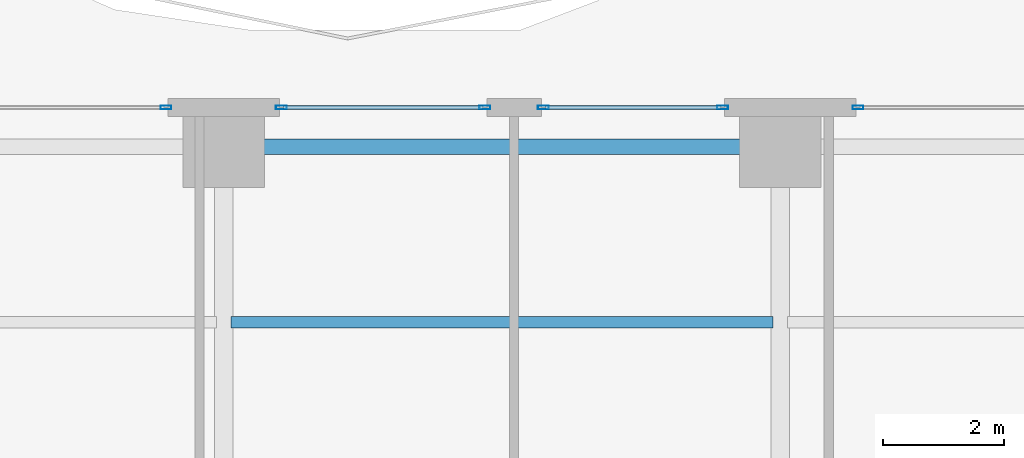
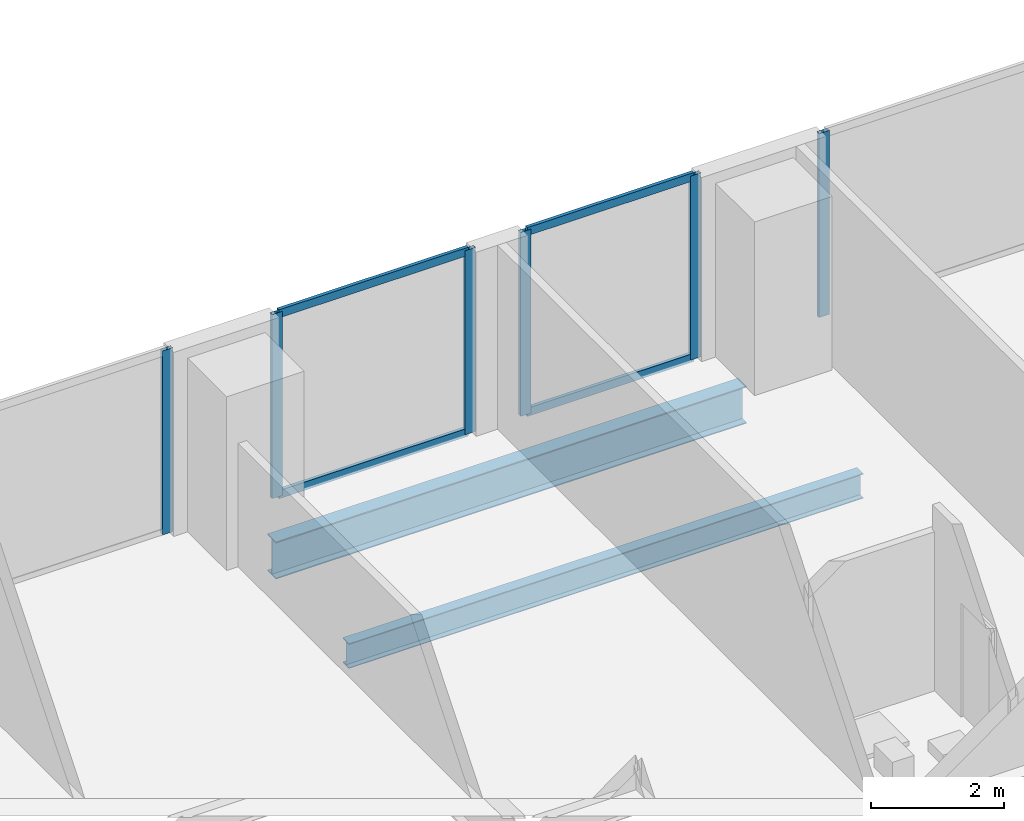
# One storey, part 17 of 29: 10 members, 2 beams, 4 elements without a shape of their own.
"""IFC4 building model written with IfcOpenShell, lengths in metres."""

import ifcopenshell
import ifcopenshell.guid

model = None  # the IFC model being written
_history = None  # IfcOwnerHistory: only IFC2X3 demands one
_inside = {}  # id of a spatial element -> (the spatial element, [elements in it])
_under = {}  # id of a project, library or spatial element -> (it, [spatial elements below it])
_declared = {}  # id of a project -> (the project, [libraries it declares])
_typed = {}  # id of a type object -> (the type object, [elements of that type])
_made_of = {}  # id of a material, layer set ... -> (it, [elements and type objects made of it])


def new_model(schema):
    """Start an empty IFC model of exactly this schema.

    Asked for "IFC4X3", IfcOpenShell would pick the latest addendum, in which some entities
    have other attributes; the version numbers below select the first issue.
    IFC2X3 requires an IfcOwnerHistory on every rooted entity: one is made here for all.
    """
    global model, _history
    if schema == "IFC4X3":
        model = ifcopenshell.file(schema_version=(4, 3, 0, 0))
    else:
        model = ifcopenshell.file(schema=schema)
    _inside.clear()
    _under.clear()
    _declared.clear()
    _typed.clear()
    _made_of.clear()
    _history = None
    if model.schema == "IFC2X3":
        org = make("IfcOrganization", Name="unknown")
        user = make(
            "IfcPersonAndOrganization",
            ThePerson=make("IfcPerson", FamilyName="unknown"),
            TheOrganization=org,
        )
        app = make(
            "IfcApplication",
            ApplicationDeveloper=org,
            Version="unknown",
            ApplicationFullName="unknown",
            ApplicationIdentifier="unknown",
        )
        _history = make(
            "IfcOwnerHistory",
            OwningUser=user,
            OwningApplication=app,
            ChangeAction="ADDED",
            CreationDate=0,
        )
    return model


def make(cls, **values):
    """One entity of the class cls with the attributes given. An attribute that is None is left unset."""
    return model.create_entity(
        cls, **{name: value for name, value in values.items() if value is not None}
    )


def rooted(cls, **values):
    """An entity with a GlobalId (a new one), such as an element, a storey or a relation."""
    return make(cls, GlobalId=ifcopenshell.guid.new(), OwnerHistory=_history, **values)


def si_unit(unit_type, name, prefix=None):
    """IfcSIUnit, for example si_unit("LENGTHUNIT", "METRE", prefix="MILLI")."""
    return make("IfcSIUnit", UnitType=unit_type, Prefix=prefix, Name=name)


def assignment(units):
    """IfcUnitAssignment: the units of a project."""
    return None if units is None else make("IfcUnitAssignment", Units=units)


def point(xyz):
    """IfcCartesianPoint."""
    return None if xyz is None else make("IfcCartesianPoint", Coordinates=xyz)


def direction(xyz):
    """IfcDirection."""
    return None if xyz is None else make("IfcDirection", DirectionRatios=xyz)


def frame(location, z_axis=None, x_axis=None):
    """IfcAxis2Placement3D, a coordinate frame: its origin and axes. An axis left out is left unset."""
    return make(
        "IfcAxis2Placement3D",
        Location=point(location),
        Axis=direction(z_axis),
        RefDirection=direction(x_axis),
    )


def frame_2d(location, x_axis=None):
    """IfcAxis2Placement2D, a coordinate frame in the plane: its origin and x axis."""
    return make(
        "IfcAxis2Placement2D", Location=point(location), RefDirection=direction(x_axis)
    )


def origin():
    """The frame at (0, 0, 0) with its axes left unset."""
    return frame((0.0, 0.0, 0.0))


def origin_2d():
    """The frame at (0, 0) in the plane with its x axis left unset."""
    return frame_2d((0.0, 0.0))


def place(relative_to, where):
    """IfcLocalPlacement: puts the frame where relative to a parent placement (None: the world)."""
    return make(
        "IfcLocalPlacement", PlacementRelTo=relative_to, RelativePlacement=where
    )


def context(
    kind, dimensions, precision=None, world=None, true_north=None, identifier=None
):
    """IfcGeometricRepresentationContext, for example the 3D "Model" context."""
    return make(
        "IfcGeometricRepresentationContext",
        ContextIdentifier=identifier,
        ContextType=kind,
        CoordinateSpaceDimension=dimensions,
        Precision=precision,
        WorldCoordinateSystem=world,
        TrueNorth=true_north,
    )


def subcontext(parent, identifier, kind, view, scale=None):
    """IfcGeometricRepresentationSubContext, for example "Body" below "Model"."""
    return make(
        "IfcGeometricRepresentationSubContext",
        ContextIdentifier=identifier,
        ContextType=kind,
        ParentContext=parent,
        TargetScale=scale,
        TargetView=view,
    )


def project(units=None, contexts=None):
    """IfcProject with its units and contexts."""
    return rooted(
        "IfcProject",
        Name="project",
        RepresentationContexts=contexts,
        UnitsInContext=assignment(units),
    )


def spatial(cls, under=None, at=None, **own):
    """A site, building, storey or space (cls), placed at a placement, below another one or the project."""
    s = rooted(cls, ObjectPlacement=at, **own)
    if under is not None:
        _under.setdefault(under.id(), (under, []))[1].append(s)
    return s


def profile(cls, at=None, kind="AREA", **sizes):
    """A parametric profile (cls). Its sizes go by their IFC names, for example OverallWidth=200.0."""
    return make(cls, ProfileType=kind, Position=at, **sizes)


def hollow_rectangle(**sizes):
    """IfcRectangleHollowProfileDef."""
    return profile("IfcRectangleHollowProfileDef", **sizes)


def i_section(**sizes):
    """IfcIShapeProfileDef."""
    return profile("IfcIShapeProfileDef", **sizes)


def extrude(swept, where, along, depth):
    """IfcExtrudedAreaSolid: the profile swept, set in the frame where, extruded along a direction by depth."""
    return make(
        "IfcExtrudedAreaSolid",
        SweptArea=swept,
        Position=where,
        ExtrudedDirection=direction(along),
        Depth=depth,
    )


def shape(context_of_items, identifier, shape_type, items):
    """IfcShapeRepresentation: the items that make up one representation, for example the "Body"."""
    return make(
        "IfcShapeRepresentation",
        ContextOfItems=context_of_items,
        RepresentationIdentifier=identifier,
        RepresentationType=shape_type,
        Items=items,
    )


def material(Name=None, Category=None):
    """IfcMaterial."""
    return make("IfcMaterial", Name=Name, Category=Category)


def layer(
    of_material, thickness, ventilated=None, Name=None, Category=None, Priority=None
):
    """IfcMaterialLayer: one layer of a wall or slab, of a material (None: an air gap)."""
    return make(
        "IfcMaterialLayer",
        Material=of_material,
        LayerThickness=thickness,
        IsVentilated=ventilated,
        Name=Name,
        Category=Category,
        Priority=Priority,
    )


def layer_set(layers, Name=None):
    """IfcMaterialLayerSet."""
    return make("IfcMaterialLayerSet", MaterialLayers=layers, LayerSetName=Name)


def material_profile(
    of_material, cross_section, Name=None, Category=None, Priority=None
):
    """IfcMaterialProfile: a cross section and its material."""
    return make(
        "IfcMaterialProfile",
        Name=Name,
        Material=of_material,
        Profile=cross_section,
        Priority=Priority,
        Category=Category,
    )


def profile_set(profiles, Name=None, composite=None):
    """IfcMaterialProfileSet."""
    return make(
        "IfcMaterialProfileSet",
        Name=Name,
        MaterialProfiles=profiles,
        CompositeProfile=composite,
    )


def made_of(thing, what):
    """Note that an element or type object is made of a material, layer set ...; save() writes the relation."""
    if what is not None:
        _made_of.setdefault(what.id(), (what, []))[1].append(thing)
    return thing


def type_object(cls, material=None, **own):
    """A type object (cls), such as IfcWallType, which elements share."""
    return made_of(rooted(cls, **own), material)


def element(
    cls,
    number,
    at=None,
    inside=None,
    cuts=None,
    type_object=None,
    material=None,
    context=None,
    identifier="Body",
    shape_type=None,
    held_by="IfcProductDefinitionShape",
    body=None,
    shapes=None,
    **own,
):
    """One element of the class cls, such as IfcWall. Its Tag is "e" and its number.

    at: its placement. inside: the storey or other place that contains it. cuts: it is an
    opening in that element (IfcRelVoidsElement). A single representation is given by context,
    identifier, shape_type and body (its items); several are given by shapes. held_by: the class
    of the entity that holds the representations. save() writes the other relations.
    """
    e = rooted(cls, Tag="e%d" % number, ObjectPlacement=at, **own)
    if body is not None:
        shapes = [shape(context, identifier, shape_type, body)]
    if shapes is not None:
        e.Representation = make(held_by, Representations=shapes)
    if inside is not None:
        _inside.setdefault(inside.id(), (inside, []))[1].append(e)
    if cuts is not None:
        rooted(
            "IfcRelVoidsElement", RelatingBuildingElement=cuts, RelatedOpeningElement=e
        )
    if type_object is not None:
        _typed.setdefault(type_object.id(), (type_object, []))[1].append(e)
    return made_of(e, material)


def aggregate(whole, parts):
    """IfcRelAggregates: a whole, such as a stair, and the parts it consists of."""
    return rooted("IfcRelAggregates", RelatingObject=whole, RelatedObjects=parts)


def save(model, path):
    """Write the relations noted so far, then the file.

    IfcRelAggregates (storeys below a building ...), IfcRelContainedInSpatialStructure (elements
    in a storey), IfcRelDefinesByType, IfcRelAssociatesMaterial and IfcRelDeclares: one each for
    every whole, place, type object, material and project.
    """
    for whole, parts in _under.values():
        aggregate(whole, parts)
    for where, things in _inside.values():
        rooted(
            "IfcRelContainedInSpatialStructure",
            RelatedElements=things,
            RelatingStructure=where,
        )
    for kind, things in _typed.values():
        rooted("IfcRelDefinesByType", RelatedObjects=things, RelatingType=kind)
    for what, things in _made_of.values():
        rooted("IfcRelAssociatesMaterial", RelatedObjects=things, RelatingMaterial=what)
    for by, libraries in _declared.values():
        rooted("IfcRelDeclares", RelatingContext=by, RelatedDefinitions=libraries)
    model.write(path)


model = new_model("IFC4")

# Units and contexts
model_context = context("Model", 3, precision=1e-05, world=origin(), true_north=direction((0.0, 1.0)))
body_context = subcontext(model_context, "Body", "Model", "MODEL_VIEW")
ifc_project = project(units=[si_unit("LENGTHUNIT", "METRE"), si_unit("AREAUNIT", "SQUARE_METRE"), si_unit("VOLUMEUNIT", "CUBIC_METRE"), si_unit("PLANEANGLEUNIT", "RADIAN"), si_unit("MASSUNIT", "GRAM", prefix="KILO")], contexts=[model_context])

# Site, building, storey
site_placement = place(None, origin())
site = spatial("IfcSite", under=ifc_project, at=site_placement, CompositionType="ELEMENT")
building_placement = place(site_placement, origin())
building = spatial("IfcBuilding", under=site, at=building_placement, Name="Zuhayl Quay Hotel", CompositionType="ELEMENT")
storey_placement = place(building_placement, frame((0.0, 0.0, 158.550048828125)))
storey = spatial("IfcBuildingStorey", under=building, at=storey_placement, Name="L40", CompositionType="ELEMENT", Elevation=158.550048828125)

# Beams
ifc_material_1 = material(Name="Steel ASTM A992 Grade 50", Category="steel")
ifc_material_profile_1 = material_profile(ifc_material_1, i_section(OverallWidth=0.25390625, OverallDepth=0.68310546875, WebThickness=0.012451171875, FlangeThickness=0.018798828125, at=origin_2d()), Name="W27X94")
ifc_profile_set_1 = profile_set([ifc_material_profile_1], Name="Steel ASTM A992 Grade 50")
beam_type_1 = type_object("IfcBeamType", Name="BM_B2_W27X94", PredefinedType="BEAM", material=ifc_profile_set_1)
beam_1_placement = place(storey_placement, frame((4.10009765625, 27.75, -0.5615234375), z_axis=(-1.0, 0.0, 0.0), x_axis=(0.0, -1.0, 0.0)))
element("IfcBeam", 1, at=beam_1_placement, inside=storey, type_object=beam_type_1, Name="L40 Floor Beam RG_L40_08", PredefinedType="BEAM", context=body_context, shape_type="SweptSolid", body=[
    extrude(i_section(OverallWidth=0.25390625, OverallDepth=0.68310546875, WebThickness=0.012451171875, FlangeThickness=0.018798828125, at=origin_2d()), origin(), (0.0, 0.0, 1.0), 8.2001953125),
])
ifc_material_profile_2 = material_profile(ifc_material_1, i_section(OverallWidth=0.18994140625, OverallDepth=0.45703125, WebThickness=0.009033203125, FlangeThickness=0.014404296875, at=origin_2d()), Name="W18X50")
ifc_profile_set_2 = profile_set([ifc_material_profile_2], Name="Steel ASTM A992 Grade 50")
beam_type_2 = type_object("IfcBeamType", Name="BM_J2_W18X50", PredefinedType="JOIST", material=ifc_profile_set_2)
beam_2_placement = place(storey_placement, frame((-4.48095703125, 24.85009765625, -0.448486328125), z_axis=(1.0, 0.0, 0.0), x_axis=(0.0, 1.0, 0.0)))
element("IfcBeam", 2, at=beam_2_placement, inside=storey, type_object=beam_type_2, Name="L40 Floor Beam FJ_L40_4_2", PredefinedType="JOIST", context=body_context, shape_type="SweptSolid", body=[
    extrude(i_section(OverallWidth=0.18994140625, OverallDepth=0.45703125, WebThickness=0.009033203125, FlangeThickness=0.014404296875, at=origin_2d()), origin(), (0.0, 0.0, 1.0), 8.9619140625),
])

# Curtain wall, member
ifc_material_2 = material(Name="Anodised Aluminium 6063-T6", Category="aluminium")
ifc_layer = layer(ifc_material_2, 0.179931640625, Name="Anodised Aluminium 6063-T6", Category="aluminium")
ifc_layer_set = layer_set([ifc_layer], Name="Anodised Aluminium 6063-T6")
curtain_wall_type = type_object("IfcCurtainWallType", Name="CW_SYS_Z2", PredefinedType="USERDEFINED", material=ifc_layer_set)
curtain_wall_1_placement = place(storey_placement, origin())
curtain_wall_1 = element("IfcCurtainWall", 3, at=curtain_wall_1_placement, inside=storey, type_object=curtain_wall_type, Name="L40 Curtain Wall ENV_L40_N_CW3", ObjectType="UNITISED CURTAIN WALL", PredefinedType="USERDEFINED")
ifc_material_3 = material(Name="Black-anodised aluminium 6063-T6", Category="aluminium")
ifc_material_profile_3 = material_profile(ifc_material_3, hollow_rectangle(XDim=0.06494140625, YDim=0.179931640625, WallThickness=0.00341796875, at=origin_2d()), Name="ALU180X65")
ifc_profile_set_3 = profile_set([ifc_material_profile_3], Name="Black-anodised aluminium 6063-T6")
member_type_1 = type_object("IfcMemberType", Name="MB_CW_MUL_180", PredefinedType="MULLION", material=ifc_profile_set_3)
member_1_placement = place(storey_placement, frame((-5.552490234375, 28.39990234375, 0.0), z_axis=(0.0, 0.0, 1.0), x_axis=(0.0, 1.0, 0.0)))
member_1 = element("IfcMember", 4, at=member_1_placement, type_object=member_type_1, Name="CW-Z2 mullion 2", PredefinedType="MULLION", context=body_context, shape_type="SweptSolid", body=[
    extrude(hollow_rectangle(XDim=0.06494140625, YDim=0.179931640625, WallThickness=0.00341796875, at=origin_2d()), origin(), (0.0, 0.0, 1.0), 3.389892578125),
])
aggregate(curtain_wall_1, [member_1])

# Curtain wall, members
curtain_wall_2_placement = place(storey_placement, origin())
curtain_wall_2 = element("IfcCurtainWall", 5, at=curtain_wall_2_placement, inside=storey, type_object=curtain_wall_type, Name="L40 Curtain Wall ENV_L40_N_CW4", ObjectType="UNITISED CURTAIN WALL", PredefinedType="USERDEFINED")
member_2_placement = place(storey_placement, frame((-3.6474609375, 28.39990234375, 0.0), z_axis=(0.0, 0.0, 1.0), x_axis=(0.0, 1.0, 0.0)))
member_2 = element("IfcMember", 6, at=member_2_placement, type_object=member_type_1, Name="CW-Z2 mullion 1", PredefinedType="MULLION", context=body_context, shape_type="SweptSolid", body=[
    extrude(hollow_rectangle(XDim=0.06494140625, YDim=0.179931640625, WallThickness=0.00341796875, at=origin_2d()), origin(), (0.0, 0.0, 1.0), 3.389892578125),
])
member_3_placement = place(storey_placement, frame((-0.282470703125, 28.39990234375, 0.0), z_axis=(0.0, 0.0, 1.0), x_axis=(0.0, 1.0, 0.0)))
member_3 = element("IfcMember", 7, at=member_3_placement, type_object=member_type_1, Name="CW-Z2 mullion 2", PredefinedType="MULLION", context=body_context, shape_type="SweptSolid", body=[
    extrude(hollow_rectangle(XDim=0.06494140625, YDim=0.179931640625, WallThickness=0.00341796875, at=origin_2d()), origin(), (0.0, 0.0, 1.0), 3.389892578125),
])

curtain_wall_3_placement = place(storey_placement, origin())
curtain_wall_3 = element("IfcCurtainWall", 8, at=curtain_wall_3_placement, inside=storey, type_object=curtain_wall_type, Name="L40 Curtain Wall ENV_L40_N_CW5", ObjectType="UNITISED CURTAIN WALL", PredefinedType="USERDEFINED")
member_4_placement = place(storey_placement, frame((0.6826171875, 28.39990234375, 0.0), z_axis=(0.0, 0.0, 1.0), x_axis=(0.0, 1.0, 0.0)))
member_4 = element("IfcMember", 9, at=member_4_placement, type_object=member_type_1, Name="CW-Z2 mullion 1", PredefinedType="MULLION", context=body_context, shape_type="SweptSolid", body=[
    extrude(hollow_rectangle(XDim=0.06494140625, YDim=0.179931640625, WallThickness=0.00341796875, at=origin_2d()), origin(), (0.0, 0.0, 1.0), 3.389892578125),
])
member_5_placement = place(storey_placement, frame((3.6474609375, 28.39990234375, 0.0), z_axis=(0.0, 0.0, 1.0), x_axis=(0.0, 1.0, 0.0)))
member_5 = element("IfcMember", 10, at=member_5_placement, type_object=member_type_1, Name="CW-Z2 mullion 2", PredefinedType="MULLION", context=body_context, shape_type="SweptSolid", body=[
    extrude(hollow_rectangle(XDim=0.06494140625, YDim=0.179931640625, WallThickness=0.00341796875, at=origin_2d()), origin(), (0.0, 0.0, 1.0), 3.389892578125),
])

# Curtain wall, member
curtain_wall_4_placement = place(storey_placement, origin())
curtain_wall_4 = element("IfcCurtainWall", 11, at=curtain_wall_4_placement, inside=storey, type_object=curtain_wall_type, Name="L40 Curtain Wall ENV_L40_N_CW6", ObjectType="UNITISED CURTAIN WALL", PredefinedType="USERDEFINED")
member_6_placement = place(storey_placement, frame((5.882568359375, 28.39990234375, 0.0), z_axis=(0.0, 0.0, 1.0), x_axis=(0.0, 1.0, 0.0)))
member_6 = element("IfcMember", 12, at=member_6_placement, type_object=member_type_1, Name="CW-Z2 mullion 1", PredefinedType="MULLION", context=body_context, shape_type="SweptSolid", body=[
    extrude(hollow_rectangle(XDim=0.06494140625, YDim=0.179931640625, WallThickness=0.00341796875, at=origin_2d()), origin(), (0.0, 0.0, 1.0), 3.389892578125),
])
aggregate(curtain_wall_4, [member_6])

# Member
ifc_material_profile_4 = material_profile(ifc_material_3, hollow_rectangle(XDim=0.06005859375, YDim=0.14990234375, WallThickness=0.00341796875, at=origin_2d()), Name="ALU150X60")
ifc_profile_set_4 = profile_set([ifc_material_profile_4], Name="Black-anodised aluminium 6063-T6")
member_type_2 = type_object("IfcMemberType", Name="MB_CW_TRN_150", PredefinedType="USERDEFINED", material=ifc_profile_set_4)
member_7_placement = place(storey_placement, frame((-3.614990234375, 28.39990234375, 0.030029296875), z_axis=(1.0, 0.0, 0.0), x_axis=(0.0, 1.0, 0.0)))
member_7 = element("IfcMember", 13, at=member_7_placement, type_object=member_type_2, Name="CW-Z2 transom 1.1", ObjectType="TRANSOM", PredefinedType="USERDEFINED", context=body_context, shape_type="SweptSolid", body=[
    extrude(hollow_rectangle(XDim=0.06005859375, YDim=0.14990234375, WallThickness=0.00341796875, at=origin_2d()), origin(), (0.0, 0.0, 1.0), 3.300048828125),
])

member_8_placement = place(storey_placement, frame((-3.614990234375, 28.39990234375, 3.35986328125), z_axis=(1.0, 0.0, 0.0), x_axis=(0.0, 1.0, 0.0)))
member_8 = element("IfcMember", 14, at=member_8_placement, type_object=member_type_2, Name="CW-Z2 transom 1.2", ObjectType="TRANSOM", PredefinedType="USERDEFINED", context=body_context, shape_type="SweptSolid", body=[
    extrude(hollow_rectangle(XDim=0.06005859375, YDim=0.14990234375, WallThickness=0.00341796875, at=origin_2d()), origin(), (0.0, 0.0, 1.0), 3.300048828125),
])

aggregate(curtain_wall_2, [member_2, member_3, member_7, member_8])

member_9_placement = place(storey_placement, frame((0.715087890625, 28.39990234375, 0.030029296875), z_axis=(1.0, 0.0, 0.0), x_axis=(0.0, 1.0, 0.0)))
member_9 = element("IfcMember", 15, at=member_9_placement, type_object=member_type_2, Name="CW-Z2 transom 1.1", ObjectType="TRANSOM", PredefinedType="USERDEFINED", context=body_context, shape_type="SweptSolid", body=[
    extrude(hollow_rectangle(XDim=0.06005859375, YDim=0.14990234375, WallThickness=0.00341796875, at=origin_2d()), origin(), (0.0, 0.0, 1.0), 2.89990234375),
])

member_10_placement = place(storey_placement, frame((0.715087890625, 28.39990234375, 3.35986328125), z_axis=(1.0, 0.0, 0.0), x_axis=(0.0, 1.0, 0.0)))
member_10 = element("IfcMember", 16, at=member_10_placement, type_object=member_type_2, Name="CW-Z2 transom 1.2", ObjectType="TRANSOM", PredefinedType="USERDEFINED", context=body_context, shape_type="SweptSolid", body=[
    extrude(hollow_rectangle(XDim=0.06005859375, YDim=0.14990234375, WallThickness=0.00341796875, at=origin_2d()), origin(), (0.0, 0.0, 1.0), 2.89990234375),
])

aggregate(curtain_wall_3, [member_4, member_5, member_9, member_10])

save(model, "model.ifc")
